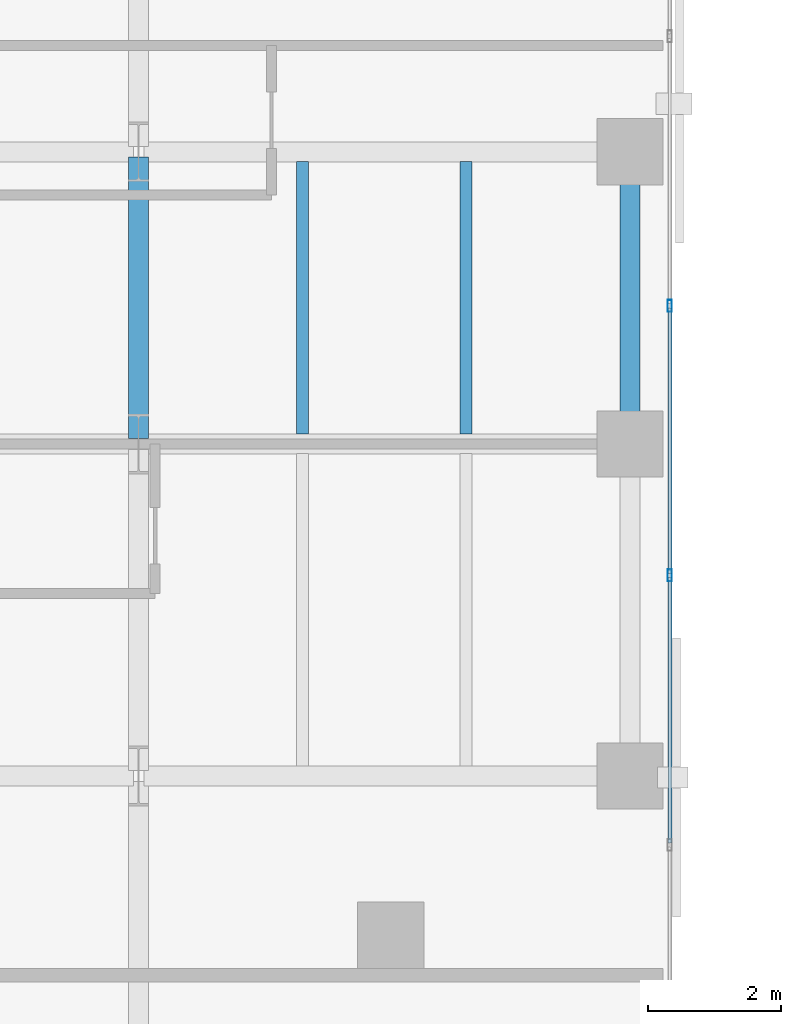
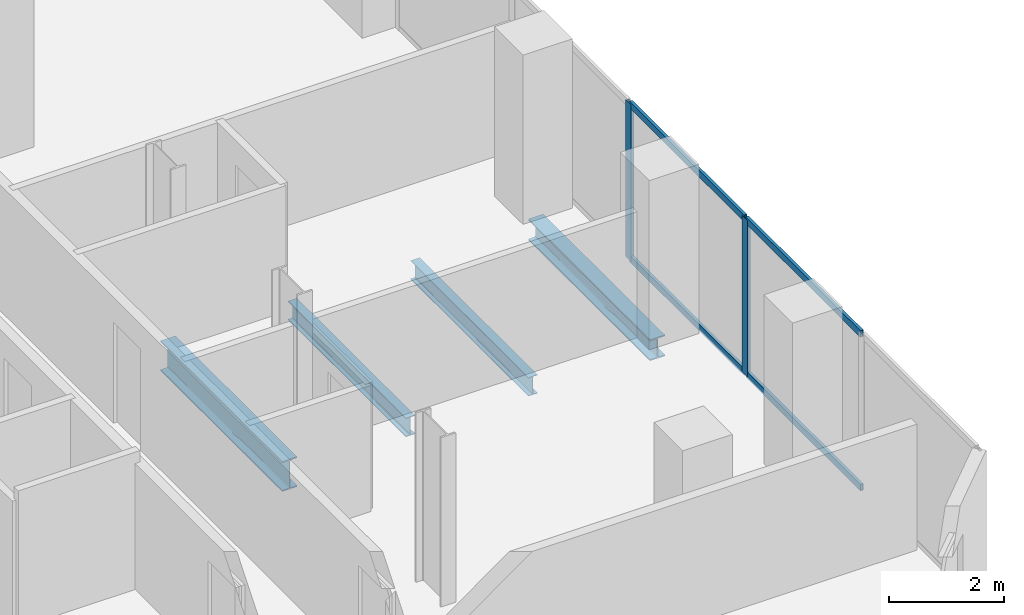
# One storey, part 7 of 32: 6 members, 4 beams, 1 element without a shape of its own.
"""IFC4 building model written with IfcOpenShell, lengths in metres."""

from ifc_helpers import new_model, si_unit, direction, frame, origin, origin_2d, place, context, subcontext, project, spatial, hollow_rectangle, i_section, extrude, material, layer, layer_set, material_profile, profile_set, type_object, element, aggregate, save


model = new_model("IFC4")

# Units and contexts
model_context = context("Model", 3, precision=1e-05, world=origin(), true_north=direction((0.0, 1.0)))
body_context = subcontext(model_context, "Body", "Model", "MODEL_VIEW")
ifc_project = project(units=[si_unit("LENGTHUNIT", "METRE"), si_unit("AREAUNIT", "SQUARE_METRE"), si_unit("VOLUMEUNIT", "CUBIC_METRE"), si_unit("PLANEANGLEUNIT", "RADIAN"), si_unit("MASSUNIT", "GRAM", prefix="KILO")], contexts=[model_context])

# Site, building, storey
site_placement = place(None, origin())
site = spatial("IfcSite", under=ifc_project, at=site_placement, CompositionType="ELEMENT")
building_placement = place(site_placement, origin())
building = spatial("IfcBuilding", under=site, at=building_placement, Name="Catumbela Crestline Tower", CompositionType="ELEMENT")
storey_placement = place(building_placement, frame((0.0, 0.0, 29.4)))
storey = spatial("IfcBuildingStorey", under=building, at=storey_placement, Name="L06", CompositionType="ELEMENT", Elevation=29.4)

# Beams
ifc_material_1 = material(Name="Structural steel S355J2", Category="steel")
ifc_material_profile_1 = material_profile(ifc_material_1, i_section(OverallWidth=0.3, OverallDepth=0.64, WebThickness=0.0135, FlangeThickness=0.026, FilletRadius=0.027, at=origin_2d()), Name="HEA 650")
ifc_profile_set_1 = profile_set([ifc_material_profile_1], Name="Structural steel S355J2")
beam_type_1 = type_object("IfcBeamType", Name="BG-HEA650", PredefinedType="BEAM", material=ifc_profile_set_1)
beam_1_placement = place(storey_placement, frame((16.0, 13.68, -0.58), z_axis=(0.0, 1.0, 0.0), x_axis=(-1.0, 0.0, 0.0)))
element("IfcBeam", 1, at=beam_1_placement, inside=storey, type_object=beam_type_1, Name="L06 Beam BM-L06-WNS66", PredefinedType="BEAM", context=body_context, shape_type="SweptSolid", body=[
    extrude(i_section(OverallWidth=0.3, OverallDepth=0.64, WebThickness=0.0135, FlangeThickness=0.026, FilletRadius=0.027, at=origin_2d()), origin(), (0.0, 0.0, 1.0), 4.24),
])
ifc_material_profile_2 = material_profile(ifc_material_1, i_section(OverallWidth=0.18, OverallDepth=0.4, WebThickness=0.0086, FlangeThickness=0.0135, FilletRadius=0.021, at=origin_2d()), Name="IPE 400")
ifc_profile_set_2 = profile_set([ifc_material_profile_2], Name="Structural steel S355J2")
beam_type_2 = type_object("IfcBeamType", Name="BJ-IPE400", PredefinedType="JOIST", material=ifc_profile_set_2)
for number, where, z_axis, x_axis, name in (
    (2, (18.467, 13.747, -0.46), (0.0, 1.0, 0.0), (-1.0, 0.0, 0.0), "L06 Joist JS-L06-WG80"),
    (3, (20.933, 13.747, -0.46), (0.0, 1.0, 0.0), (-1.0, 0.0, 0.0), "L06 Joist JS-L06-WG81"),
):
    element("IfcBeam", number, at=place(storey_placement, frame(where, z_axis=z_axis, x_axis=x_axis)), inside=storey, type_object=beam_type_2, Name=name, PredefinedType="JOIST", context=body_context, shape_type="SweptSolid", body=[
        extrude(i_section(OverallWidth=0.18, OverallDepth=0.4, WebThickness=0.0086, FlangeThickness=0.0135, FilletRadius=0.021, at=origin_2d()), origin(), (0.0, 0.0, 1.0), 4.106),
    ])

# Curtain wall, members
ifc_material_2 = material(Name="Aluminium alloy AW-6060-T66", Category="aluminium")
ifc_layer = layer(ifc_material_2, 0.18, Name="Aluminium alloy AW-6060-T66")
ifc_layer_set = layer_set([ifc_layer], Name="Aluminium alloy AW-6060-T66")
curtain_wall_type = type_object("IfcCurtainWallType", Name="CWU-Z1", PredefinedType="USERDEFINED", material=ifc_layer_set)
curtain_wall_placement = place(storey_placement, origin())
curtain_wall = element("IfcCurtainWall", 4, at=curtain_wall_placement, inside=storey, type_object=curtain_wall_type, Name="L06 Unitised Curtain Wall CW-L06-E2S1", ObjectType="UNITISED", PredefinedType="USERDEFINED")
ifc_material_profile_3 = material_profile(ifc_material_2, hollow_rectangle(XDim=0.065, YDim=0.18, WallThickness=0.004, at=origin_2d()), Name="ALU 180x65x4")
ifc_profile_set_3 = profile_set([ifc_material_profile_3], Name="Aluminium alloy AW-6060-T66")
member_type_1 = type_object("IfcMemberType", Name="MUL-180X65", PredefinedType="MULLION", material=ifc_profile_set_3)
member_1_placement = place(storey_placement, frame((24.0, 11.62, 0.0), z_axis=(0.0, 0.0, 1.0), x_axis=(-1.0, 0.0, 0.0)))
member_1 = element("IfcMember", 5, at=member_1_placement, type_object=member_type_1, Name="CWU-Z1 mullion 3", PredefinedType="MULLION", context=body_context, shape_type="SweptSolid", body=[
    extrude(hollow_rectangle(XDim=0.065, YDim=0.18, WallThickness=0.004, at=origin_2d()), origin(), (0.0, 0.0, 1.0), 3.33),
])
member_2_placement = place(storey_placement, frame((24.0, 15.68, 0.0), z_axis=(0.0, 0.0, 1.0), x_axis=(-1.0, 0.0, 0.0)))
member_2 = element("IfcMember", 6, at=member_2_placement, type_object=member_type_1, Name="CWU-Z1 mullion 4", PredefinedType="MULLION", context=body_context, shape_type="SweptSolid", body=[
    extrude(hollow_rectangle(XDim=0.065, YDim=0.18, WallThickness=0.004, at=origin_2d()), origin(), (0.0, 0.0, 1.0), 3.33),
])

# Beam
ifc_material_profile_4 = material_profile(ifc_material_1, i_section(OverallWidth=0.3, OverallDepth=0.45, WebThickness=0.014, FlangeThickness=0.026, FilletRadius=0.027, at=origin_2d()), Name="HEB 450")
ifc_profile_set_4 = profile_set([ifc_material_profile_4], Name="Structural steel S355J2")
beam_type_3 = type_object("IfcBeamType", Name="BS-HEB450", PredefinedType="SPANDREL", material=ifc_profile_set_4)
beam_2_placement = place(storey_placement, frame((23.4, 13.68, -0.485), z_axis=(0.0, 1.0, 0.0), x_axis=(-1.0, 0.0, 0.0)))
element("IfcBeam", 7, at=beam_2_placement, inside=storey, type_object=beam_type_3, Name="L06 Spandrel SP-L06-WNS69", PredefinedType="SPANDREL", context=body_context, shape_type="SweptSolid", body=[
    extrude(i_section(OverallWidth=0.3, OverallDepth=0.45, WebThickness=0.014, FlangeThickness=0.026, FilletRadius=0.027, at=origin_2d()), origin(), (0.0, 0.0, 1.0), 4.24),
])

# Member
ifc_material_profile_5 = material_profile(ifc_material_2, hollow_rectangle(XDim=0.06, YDim=0.14, WallThickness=0.004, at=origin_2d()), Name="ALU 140x60x4")
ifc_profile_set_5 = profile_set([ifc_material_profile_5], Name="Aluminium alloy AW-6060-T66")
member_type_2 = type_object("IfcMemberType", Name="TRN-140X60", PredefinedType="USERDEFINED", material=ifc_profile_set_5)
member_3_placement = place(storey_placement, frame((24.0, 7.5925, 0.03), z_axis=(0.0, 1.0, 0.0), x_axis=(-1.0, 0.0, 0.0)))
member_3 = element("IfcMember", 8, at=member_3_placement, type_object=member_type_2, Name="CWU-Z1 transom 2.1", ObjectType="TRANSOM", PredefinedType="USERDEFINED", context=body_context, shape_type="SweptSolid", body=[
    extrude(hollow_rectangle(XDim=0.06, YDim=0.14, WallThickness=0.004, at=origin_2d()), origin(), (0.0, 0.0, 1.0), 3.995),
])

member_4_placement = place(storey_placement, frame((24.0, 7.5925, 3.3), z_axis=(0.0, 1.0, 0.0), x_axis=(-1.0, 0.0, 0.0)))
member_4 = element("IfcMember", 9, at=member_4_placement, type_object=member_type_2, Name="CWU-Z1 transom 2.2", ObjectType="TRANSOM", PredefinedType="USERDEFINED", context=body_context, shape_type="SweptSolid", body=[
    extrude(hollow_rectangle(XDim=0.06, YDim=0.14, WallThickness=0.004, at=origin_2d()), origin(), (0.0, 0.0, 1.0), 3.995),
])

member_5_placement = place(storey_placement, frame((24.0, 11.6525, 0.03), z_axis=(0.0, 1.0, 0.0), x_axis=(-1.0, 0.0, 0.0)))
member_5 = element("IfcMember", 10, at=member_5_placement, type_object=member_type_2, Name="CWU-Z1 transom 3.1", ObjectType="TRANSOM", PredefinedType="USERDEFINED", context=body_context, shape_type="SweptSolid", body=[
    extrude(hollow_rectangle(XDim=0.06, YDim=0.14, WallThickness=0.004, at=origin_2d()), origin(), (0.0, 0.0, 1.0), 3.995),
])

member_6_placement = place(storey_placement, frame((24.0, 11.6525, 3.3), z_axis=(0.0, 1.0, 0.0), x_axis=(-1.0, 0.0, 0.0)))
member_6 = element("IfcMember", 11, at=member_6_placement, type_object=member_type_2, Name="CWU-Z1 transom 3.2", ObjectType="TRANSOM", PredefinedType="USERDEFINED", context=body_context, shape_type="SweptSolid", body=[
    extrude(hollow_rectangle(XDim=0.06, YDim=0.14, WallThickness=0.004, at=origin_2d()), origin(), (0.0, 0.0, 1.0), 3.995),
])

aggregate(curtain_wall, [member_1, member_2, member_3, member_4, member_5, member_6])

save(model, "model.ifc")
